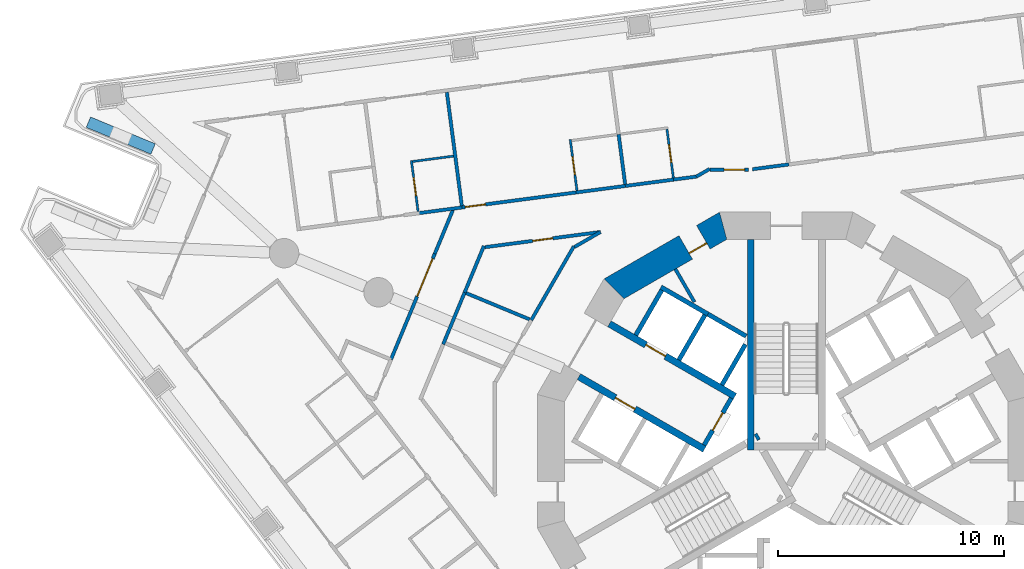
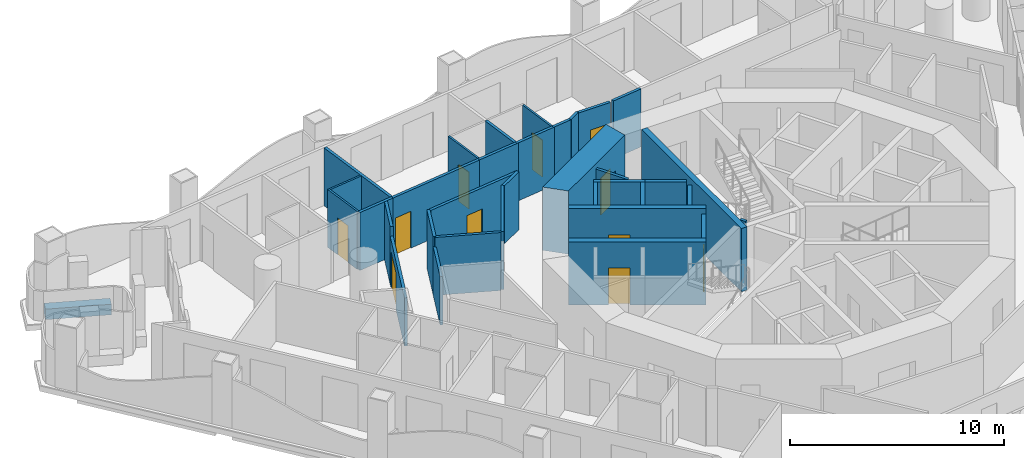
# One storey, part 7 of 19: 35 walls, 11 doors, 11 openings.
"""IFC4 building model written with IfcOpenShell, lengths in metres."""

from ifc_helpers import new_model, si_unit, direction, frame, frame_2d, origin, place, context, subcontext, project, spatial, polyline, rectangle, outline, extrude, material, layer, layer_set, type_object, element, fill, save


model = new_model("IFC4")

# Units and contexts
model_context = context("Model", 3, precision=1e-05, world=origin(), true_north=direction((0.0, 1.0)))
body_context = subcontext(model_context, "Body", "Model", "MODEL_VIEW")
ifc_project = project(units=[si_unit("LENGTHUNIT", "METRE"), si_unit("AREAUNIT", "SQUARE_METRE"), si_unit("VOLUMEUNIT", "CUBIC_METRE"), si_unit("PLANEANGLEUNIT", "RADIAN"), si_unit("MASSUNIT", "GRAM", prefix="KILO")], contexts=[model_context])

# Site, building, storey
site_placement = place(None, origin())
site = spatial("IfcSite", under=ifc_project, at=site_placement, CompositionType="ELEMENT")
building_placement = place(site_placement, origin())
building = spatial("IfcBuilding", under=site, at=building_placement, Name="Trine Commons Tower", CompositionType="ELEMENT")
storey_placement = place(building_placement, frame((0.0, 0.0, 64.800048828125)))
storey = spatial("IfcBuildingStorey", under=building, at=storey_placement, Name="L15", CompositionType="ELEMENT", Elevation=64.800048828125)

# Wall
ifc_material_1 = material(Name="Plasterboard partition on steel studs", Category="steel")
ifc_layer_1 = layer(ifc_material_1, 0.14990234375)
ifc_layer_set_1 = layer_set([ifc_layer_1], Name="Plasterboard partition on steel studs")
wall_type_1 = type_object("IfcWallType", Name="Core room partition 150 mm, EI 60", PredefinedType="PARTITIONING", material=ifc_layer_set_1)
wall_1_placement = place(storey_placement, frame((75.094970703125, 70.9970703125, 0.0), z_axis=(0.0, 0.0, 1.0), x_axis=(0.500115728942, -0.865958577338, 0.0)))
element("IfcWall", 1, at=wall_1_placement, inside=storey, type_object=wall_type_1, Name="Core room partition L15", PredefinedType="PARTITIONING", context=body_context, shape_type="SweptSolid", body=[
    extrude(rectangle(XDim=1.68359375, YDim=0.14990234375, at=frame_2d((0.841796875, 0.0))), origin(), (0.0, 0.0, 1.0), 3.300048828125),
])

# Wall, opening, door
ifc_material_2 = material(Name="Fire-rated gypsum shaft wall system")
ifc_layer_2 = layer(ifc_material_2, 0.199951171875)
ifc_layer_set_2 = layer_set([ifc_layer_2], Name="Fire-rated gypsum shaft wall system")
wall_type_2 = type_object("IfcWallType", Name="Lobby end wall 200 mm, EI 120", PredefinedType="PARTITIONING", material=ifc_layer_set_2)
wall_2_placement = place(storey_placement, frame((77.569091796875, 65.2890625, 0.0), z_axis=(0.0, 0.0, 1.0), x_axis=(-0.50012165622, -0.865955154139, 0.0)))
wall_2 = element("IfcWall", 2, at=wall_2_placement, inside=storey, type_object=wall_type_2, Name="Lobby end wall L15", PredefinedType="PARTITIONING", context=body_context, shape_type="SweptSolid", body=[
    extrude(rectangle(XDim=2.39990234375, YDim=0.199951171875, at=frame_2d((1.199951171875, 0.0))), origin(), (0.0, 0.0, 1.0), 3.300048828125),
])
opening_1_placement = place(wall_2_placement, frame((0.749755859375, 0.0, 0.0)))
opening_1 = element("IfcOpeningElement", 3, at=opening_1_placement, cuts=wall_2, Name="Opening K06.07", PredefinedType="OPENING", context=body_context, shape_type="SweptSolid", body=[
    extrude(rectangle(XDim=0.89990234375, YDim=2.10009765625, at=frame_2d((0.449951171875, 1.050048828125))), frame((0.0, 0.10986328125, 0.0), z_axis=(0.0, -1.0, 0.0), x_axis=(1.0, 0.0, 0.0)), (0.0, 0.0, 1.0), 0.219970703125),
])
ifc_material_3 = material(Name="Steel door leaf, fire-rated", Category="steel")
door_type_1 = type_object("IfcDoorType", Name="Riser access door, single leaf 900 x 2100, FD60", OperationType="SINGLE_SWING_LEFT", PredefinedType="DOOR", material=ifc_material_3)
door_1_placement = place(opening_1_placement, frame((0.89990234375, 0.0, 0.0), z_axis=(0.0, 0.0, 1.0), x_axis=(-1.0, 0.0, 0.0)))
door_1 = element("IfcDoor", 4, at=door_1_placement, inside=storey, type_object=door_type_1, Name="Riser door, Mechanical riser L15", OperationType="SINGLE_SWING_RIGHT", OverallHeight=2.10009765625, OverallWidth=0.89990234375, PredefinedType="DOOR", context=body_context, shape_type="SweptSolid", body=[
    extrude(rectangle(XDim=0.89990234375, YDim=2.10009765625, at=frame_2d((0.449951171875, 1.050048828125))), frame((0.0, 0.02490234375, 0.0), z_axis=(0.0, -1.0, 0.0), x_axis=(1.0, 0.0, 0.0)), (0.0, 0.0, 1.0), 0.050048828125),
])
fill(opening_1, door_1)

# Wall
ifc_material_4 = material(Name="Planter trough, precast concrete C40/50", Category="concrete")
ifc_layer_3 = layer(ifc_material_4, 0.5)
ifc_layer_set_3 = layer_set([ifc_layer_3], Name="Planter trough, precast concrete C40/50")
wall_type_3 = type_object("IfcWallType", Name="Planter trough 500x600", PredefinedType="PARAPET", material=ifc_layer_set_3)
wall_3_placement = place(storey_placement, frame((51.99853515625, 76.306640625, 0.0), z_axis=(0.0, 0.0, 1.0), x_axis=(-0.923883411188, 0.382674068277, 0.0)))
element("IfcWall", 5, at=wall_3_placement, inside=storey, type_object=wall_type_3, Name="Planter 3", PredefinedType="PARAPET", context=body_context, shape_type="SweptSolid", body=[
    extrude(rectangle(XDim=3.099853515625, YDim=0.5, at=frame_2d((1.5498046875, 0.0))), origin(), (0.0, 0.0, 1.0), 0.599853515625),
])

# Wall, opening, door
ifc_material_5 = material(Name="Concrete C80/95", Category="concrete")
ifc_layer_4 = layer(ifc_material_5, 1.199951171875)
ifc_layer_set_4 = layer_set([ifc_layer_4], Name="Concrete C80/95")
wall_type_4 = type_object("IfcWallType", Name="RC shear wall 1200 mm, C80/95", PredefinedType="SHEAR", material=ifc_layer_set_4)
wall_4_placement = place(storey_placement, frame((77.349609375, 72.991943359375, 0.0), z_axis=(0.0, 0.0, 1.0), x_axis=(-0.866037463336, -0.499979111662, 0.0)))
wall_4 = element("IfcWall", 6, at=wall_4_placement, inside=storey, type_object=wall_type_4, Name="Core wall CWB-05 L15", PredefinedType="SHEAR", context=body_context, shape_type="SweptSolid", body=[
    extrude(outline(polyline([(0.0, -0.60009765625), (5.901123046875, -0.60009765625), (5.57958984375, 0.60009765625), (0.321533203125, 0.60009765625), (0.0, -0.60009765625)])), origin(), (0.0, 0.0, 1.0), 3.599853515625),
])
opening_2_placement = place(wall_4_placement, frame((1.1748046875, 0.0, 0.0)))
opening_2 = element("IfcOpeningElement", 7, at=opening_2_placement, cuts=wall_4, Name="Opening K06.13", PredefinedType="OPENING", context=body_context, shape_type="SweptSolid", body=[
    extrude(rectangle(XDim=0.89990234375, YDim=2.10009765625, at=frame_2d((0.449951171875, 1.050048828125))), frame((0.0, 0.60986328125, 0.0), z_axis=(0.0, -1.0, 0.0), x_axis=(1.0, 0.0, 0.0)), (0.0, 0.0, 1.0), 1.219970703125),
])
door_type_2 = type_object("IfcDoorType", Name="Core room door, single leaf 900 x 2100, FD30S", OperationType="SINGLE_SWING_LEFT", PredefinedType="DOOR", material=ifc_material_3)
door_2_placement = place(opening_2_placement, origin())
door_2 = element("IfcDoor", 8, at=door_2_placement, inside=storey, type_object=door_type_2, Name="Door to Linen store L15", OperationType="SINGLE_SWING_LEFT", OverallHeight=2.10009765625, OverallWidth=0.89990234375, PredefinedType="DOOR", context=body_context, shape_type="SweptSolid", body=[
    extrude(rectangle(XDim=0.89990234375, YDim=2.10009765625, at=frame_2d((0.449951171875, 1.050048828125))), frame((0.0, 0.3251953125, 0.0), z_axis=(0.0, -1.0, 0.0), x_axis=(1.0, 0.0, 0.0)), (0.0, 0.0, 1.0), 0.050048828125),
])
fill(opening_2, door_2)

ifc_layer_5 = layer(ifc_material_5, 0.300048828125)
ifc_layer_set_5 = layer_set([ifc_layer_5], Name="Concrete C80/95")
wall_type_5 = type_object("IfcWallType", Name="RC shear wall 300 mm, C80/95", PredefinedType="SHEAR", material=ifc_layer_set_5)
wall_5_placement = place(storey_placement, frame((76.381103515625, 63.031005859375, 0.0), z_axis=(0.0, 0.0, 1.0), x_axis=(-0.866032150378, 0.499988314375, 0.0)))
wall_5 = element("IfcWall", 9, at=wall_5_placement, inside=storey, type_object=wall_type_5, Name="Core cross wall SWA-01 L15", PredefinedType="SHEAR", context=body_context, shape_type="SweptSolid", body=[
    extrude(rectangle(XDim=6.412353515625, YDim=0.300048828125, at=frame_2d((3.2060546875, 0.0))), origin(), (0.0, 0.0, 1.0), 3.599853515625),
])
opening_3_placement = place(wall_5_placement, frame((3.55029296875, 0.0, 0.0)))
opening_3 = element("IfcOpeningElement", 10, at=opening_3_placement, cuts=wall_5, Name="Opening LD3", PredefinedType="OPENING", context=body_context, shape_type="SweptSolid", body=[
    extrude(rectangle(XDim=1.0, YDim=2.10009765625, at=frame_2d((0.5, 1.050048828125))), frame((0.0, 0.159912109375, 0.0), z_axis=(0.0, -1.0, 0.0), x_axis=(1.0, 0.0, 0.0)), (0.0, 0.0, 1.0), 0.320068359375),
])
ifc_material_6 = material(Name="Stainless steel sliding door leaves", Category="steel")
door_type_3 = type_object("IfcDoorType", Name="Lift landing door, centre-opening sliding 1000 x 2100, FD90", OperationType="DOUBLE_DOOR_SLIDING", PredefinedType="DOOR", material=ifc_material_6)
door_3_placement = place(opening_3_placement, origin())
door_3 = element("IfcDoor", 11, at=door_3_placement, inside=storey, type_object=door_type_3, Name="Lift landing door LR3 L15", OperationType="DOUBLE_DOOR_SLIDING", OverallHeight=2.10009765625, OverallWidth=1.0, PredefinedType="DOOR", context=body_context, shape_type="SweptSolid", body=[
    extrude(rectangle(XDim=1.0, YDim=2.10009765625, at=frame_2d((0.5, 1.050048828125))), frame((0.0, 0.02490234375, 0.0), z_axis=(0.0, -1.0, 0.0), x_axis=(1.0, 0.0, 0.0)), (0.0, 0.0, 1.0), 0.050048828125),
])
fill(opening_3, door_3)

wall_6_placement = place(storey_placement, frame((77.73095703125, 65.368896484375, 0.0), z_axis=(0.0, 0.0, 1.0), x_axis=(-0.866022631842, 0.500004801114, 0.0)))
wall_6 = element("IfcWall", 12, at=wall_6_placement, inside=storey, type_object=wall_type_5, Name="Core cross wall SWA-02 L15", PredefinedType="SHEAR", context=body_context, shape_type="SweptSolid", body=[
    extrude(rectangle(XDim=6.412109375, YDim=0.300048828125, at=frame_2d((3.2060546875, 0.0))), origin(), (0.0, 0.0, 1.0), 3.599853515625),
])
opening_4_placement = place(wall_6_placement, frame((3.55029296875, 0.0, 0.0)))
opening_4 = element("IfcOpeningElement", 13, at=opening_4_placement, cuts=wall_6, Name="Opening LD4", PredefinedType="OPENING", context=body_context, shape_type="SweptSolid", body=[
    extrude(rectangle(XDim=1.0, YDim=2.10009765625, at=frame_2d((0.5, 1.050048828125))), frame((0.0, 0.159912109375, 0.0), z_axis=(0.0, -1.0, 0.0), x_axis=(1.0, 0.0, 0.0)), (0.0, 0.0, 1.0), 0.320068359375),
])
door_4_placement = place(opening_4_placement, origin())
door_4 = element("IfcDoor", 14, at=door_4_placement, inside=storey, type_object=door_type_3, Name="Lift landing door LR4 L15", OperationType="DOUBLE_DOOR_SLIDING", OverallHeight=2.10009765625, OverallWidth=1.0, PredefinedType="DOOR", context=body_context, shape_type="SweptSolid", body=[
    extrude(rectangle(XDim=1.0, YDim=2.10009765625, at=frame_2d((0.5, 1.050048828125))), frame((0.0, 0.02490234375, 0.0), z_axis=(0.0, -1.0, 0.0), x_axis=(1.0, 0.0, 0.0)), (0.0, 0.0, 1.0), 0.050048828125),
])
fill(opening_4, door_4)

# Walls
wall_7_placement = place(storey_placement, frame((78.425048828125, 63.0009765625, 0.0), z_axis=(0.0, 0.0, 1.0), x_axis=(0.0, 1.0, 0.0)))
element("IfcWall", 15, at=wall_7_placement, inside=storey, type_object=wall_type_5, Name="Core cross wall SWA-08 L15", PredefinedType="SHEAR", context=body_context, shape_type="SweptSolid", body=[
    extrude(rectangle(XDim=9.31103515625, YDim=0.300048828125, at=frame_2d((4.655517578125, 0.0))), origin(), (0.0, 0.0, 1.0), 3.599853515625),
])
wall_8_placement = place(storey_placement, frame((78.779052734375, 63.614013671875, 0.0), z_axis=(0.0, 0.0, 1.0), x_axis=(-0.867737973955, -0.497021939713, 0.0)))
element("IfcWall", 16, at=wall_8_placement, inside=storey, type_object=wall_type_5, Name="Core cross wall SWA-09 L15", PredefinedType="SHEAR", context=body_context, shape_type="SweptSolid", body=[
    extrude(rectangle(XDim=0.14892578125, YDim=0.300048828125, at=frame_2d((0.074462890625, 0.0))), origin(), (0.0, 0.0, 1.0), 3.599853515625),
])
ifc_layer_6 = layer(ifc_material_2, 0.199951171875)
ifc_layer_set_6 = layer_set([ifc_layer_6], Name="Fire-rated gypsum shaft wall system")
wall_type_6 = type_object("IfcWallType", Name="Shaft wall 200 mm, EI 120", PredefinedType="PARTITIONING", material=ifc_layer_set_6)
wall_9_placement = place(storey_placement, frame((73.344970703125, 68.073974609375, 0.0), z_axis=(0.0, 0.0, 1.0), x_axis=(0.500215680983, 0.865900844496, 0.0)))
element("IfcWall", 17, at=wall_9_placement, inside=storey, type_object=wall_type_6, Name="Shaft wall L15", PredefinedType="PARTITIONING", context=body_context, shape_type="SweptSolid", body=[
    extrude(rectangle(XDim=2.29931640625, YDim=0.199951171875, at=frame_2d((1.149658203125, 0.0))), origin(), (0.0, 0.0, 1.0), 3.300048828125),
])
wall_10_placement = place(storey_placement, frame((75.2509765625, 66.97412109375, 0.0), z_axis=(0.0, 0.0, 1.0), x_axis=(0.500136062276, 0.86594683394, 0.0)))
element("IfcWall", 18, at=wall_10_placement, inside=storey, type_object=wall_type_6, Name="Shaft wall L15", PredefinedType="PARTITIONING", context=body_context, shape_type="SweptSolid", body=[
    extrude(rectangle(XDim=2.299072265625, YDim=0.199951171875, at=frame_2d((1.1494140625, 0.0))), origin(), (0.0, 0.0, 1.0), 3.300048828125),
])
wall_11_placement = place(storey_placement, frame((76.5380859375, 69.001953125, 0.0), z_axis=(0.0, 0.0, 1.0), x_axis=(-0.866202511239, 0.499693115345, 0.0)))
element("IfcWall", 19, at=wall_11_placement, inside=storey, type_object=wall_type_6, Name="Shaft wall L15", PredefinedType="PARTITIONING", context=body_context, shape_type="SweptSolid", body=[
    extrude(rectangle(XDim=2.4013671875, YDim=0.199951171875, at=frame_2d((1.20068359375, 0.0))), origin(), (0.0, 0.0, 1.0), 3.300048828125),
])
wall_12_placement = place(storey_placement, frame((77.156005859375, 65.8740234375, 0.0), z_axis=(0.0, 0.0, 1.0), x_axis=(0.499865770674, 0.866102887253, 0.0)))
element("IfcWall", 20, at=wall_12_placement, inside=storey, type_object=wall_type_6, Name="Shaft wall L15", PredefinedType="PARTITIONING", context=body_context, shape_type="SweptSolid", body=[
    extrude(rectangle(XDim=2.064453125, YDim=0.199951171875, at=frame_2d((1.0322265625, 0.0))), origin(), (0.0, 0.0, 1.0), 3.300048828125),
])
wall_13_placement = place(storey_placement, frame((78.22509765625, 68.028076171875, 0.0), z_axis=(0.0, 0.0, 1.0), x_axis=(-0.866052014814, 0.499953905513, 0.0)))
element("IfcWall", 21, at=wall_13_placement, inside=storey, type_object=wall_type_6, Name="Shaft wall L15", PredefinedType="PARTITIONING", context=body_context, shape_type="SweptSolid", body=[
    extrude(rectangle(XDim=1.947998046875, YDim=0.199951171875, at=frame_2d((0.97412109375, 0.0))), origin(), (0.0, 0.0, 1.0), 3.300048828125),
])

# Wall, opening, door
ifc_material_7 = material(Name="Gypsum plasterboard on steel stud", Category="steel")
ifc_layer_7 = layer(ifc_material_7, 0.14990234375)
ifc_layer_set_7 = layer_set([ifc_layer_7], Name="Gypsum plasterboard on steel stud")
wall_type_7 = type_object("IfcWallType", Name="Unit and corridor wall 150 mm, EI 60", PredefinedType="PARTITIONING", material=ifc_layer_set_7)
wall_14_placement = place(storey_placement, frame((62.52197265625, 67.007080078125, 0.0), z_axis=(0.0, 0.0, 1.0), x_axis=(0.382650715136, 0.923893083753, 0.0)))
wall_14 = element("IfcWall", 22, at=wall_14_placement, inside=storey, type_object=wall_type_7, Name="Partition 022", PredefinedType="PARTITIONING", context=body_context, shape_type="SweptSolid", body=[
    extrude(rectangle(XDim=5.04931640625, YDim=0.14990234375, at=frame_2d((2.524658203125, 0.0))), origin(), (0.0, 0.0, 1.0), 2.75),
])
opening_5_placement = place(wall_14_placement, frame((3.014404296875, 0.0, 0.0)))
opening_5 = element("IfcOpeningElement", 23, at=opening_5_placement, cuts=wall_14, Name="Opening D-2B03", PredefinedType="OPENING", context=body_context, shape_type="SweptSolid", body=[
    extrude(rectangle(XDim=1.800048828125, YDim=2.10009765625, at=frame_2d((0.89990234375, 1.050048828125))), frame((0.0, 0.0849609375, 0.0), z_axis=(0.0, -1.0, 0.0), x_axis=(1.0, 0.0, 0.0)), (0.0, 0.0, 1.0), 0.169921875),
])
ifc_material_8 = material(Name="Timber fire door set", Category="wood")
door_type_4 = type_object("IfcDoorType", Name="Cluster entrance door 1800 x 2100, double leaf, FD30S", OperationType="DOUBLE_DOOR_DOUBLE_SWING", PredefinedType="DOOR", material=ifc_material_8)
door_5_placement = place(opening_5_placement, origin())
door_5 = element("IfcDoor", 24, at=door_5_placement, inside=storey, type_object=door_type_4, Name="Door D-2B03", OperationType="DOUBLE_DOOR_DOUBLE_SWING", OverallHeight=2.10009765625, OverallWidth=1.800048828125, PredefinedType="DOOR", context=body_context, shape_type="SweptSolid", body=[
    extrude(rectangle(XDim=1.800048828125, YDim=2.10009765625, at=frame_2d((0.89990234375, 1.050048828125))), frame((0.0, 0.02490234375, 0.0), z_axis=(0.0, -1.0, 0.0), x_axis=(1.0, 0.0, 0.0)), (0.0, 0.0, 1.0), 0.050048828125),
])
fill(opening_5, door_5)

# Walls
wall_15_placement = place(storey_placement, frame((63.722900390625, 73.467041015625, 0.0), z_axis=(0.0, 0.0, 1.0), x_axis=(0.991489487772, 0.130186772134, 0.0)))
element("IfcWall", 25, at=wall_15_placement, inside=storey, type_object=wall_type_7, Name="Partition 027", PredefinedType="PARTITIONING", context=body_context, shape_type="SweptSolid", body=[
    extrude(rectangle(XDim=1.957763671875, YDim=0.14990234375, at=frame_2d((0.97900390625, 0.0))), origin(), (0.0, 0.0, 1.0), 3.300048828125),
])
wall_16_placement = place(storey_placement, frame((64.4541015625, 71.672119140625, 0.0), z_axis=(0.0, 0.0, 1.0), x_axis=(0.382922635391, 0.923780415091, 0.0)))
element("IfcWall", 26, at=wall_16_placement, inside=storey, type_object=wall_type_7, Name="Partition 030", PredefinedType="PARTITIONING", context=body_context, shape_type="SweptSolid", body=[
    extrude(rectangle(XDim=2.08984375, YDim=0.14990234375, at=frame_2d((1.044921875, 0.0))), origin(), (0.0, 0.0, 1.0), 3.300048828125),
])
wall_17_placement = place(storey_placement, frame((64.826416015625, 67.671630859375, 0.0), z_axis=(0.0, 0.0, 1.0), x_axis=(0.382785873713, 0.923837093261, 0.0)))
element("IfcWall", 27, at=wall_17_placement, inside=storey, type_object=wall_type_7, Name="Partition 033", PredefinedType="PARTITIONING", context=body_context, shape_type="SweptSolid", body=[
    extrude(rectangle(XDim=2.483642578125, YDim=0.14990234375, at=frame_2d((1.24169921875, 0.0))), origin(), (0.0, 0.0, 1.0), 2.75),
])
wall_18_placement = place(storey_placement, frame((64.9892578125, 78.8173828125, 0.0), z_axis=(0.0, 0.0, 1.0), x_axis=(0.130499406053, -0.991448387471, 0.0)))
element("IfcWall", 28, at=wall_18_placement, inside=storey, type_object=wall_type_7, Name="Partition 035", PredefinedType="PARTITIONING", context=body_context, shape_type="SweptSolid", body=[
    extrude(rectangle(XDim=5.064208984375, YDim=0.14990234375, at=frame_2d((2.5322265625, 0.0))), origin(), (0.0, 0.0, 1.0), 3.300048828125),
])

# Wall, opening, door
wall_19_placement = place(storey_placement, frame((65.656005859375, 73.720947265625, 0.0), z_axis=(0.0, 0.0, 1.0), x_axis=(0.991434260867, 0.130606685815, 0.0)))
wall_19 = element("IfcWall", 29, at=wall_19_placement, inside=storey, type_object=wall_type_7, Name="Partition 036", PredefinedType="PARTITIONING", context=body_context, shape_type="SweptSolid", body=[
    extrude(rectangle(XDim=5.146240234375, YDim=0.14990234375, at=frame_2d((2.5732421875, 0.0))), origin(), (0.0, 0.0, 1.0), 3.300048828125),
])
opening_6_placement = place(wall_19_placement, frame((0.154052734375, 0.0, 0.0)))
opening_6 = element("IfcOpeningElement", 30, at=opening_6_placement, cuts=wall_19, Name="Opening D-2B09", PredefinedType="OPENING", context=body_context, shape_type="SweptSolid", body=[
    extrude(rectangle(XDim=0.89990234375, YDim=2.10009765625, at=frame_2d((0.449951171875, 1.050048828125))), frame((0.0, 0.0849609375, 0.0), z_axis=(0.0, -1.0, 0.0), x_axis=(1.0, 0.0, 0.0)), (0.0, 0.0, 1.0), 0.169921875),
])
door_type_5 = type_object("IfcDoorType", Name="Bedroom door 900 x 2100, FD30S", OperationType="NOTDEFINED", PredefinedType="DOOR", material=ifc_material_8)
door_6_placement = place(opening_6_placement, origin())
door_6 = element("IfcDoor", 31, at=door_6_placement, inside=storey, type_object=door_type_5, Name="Door D-2B09", OperationType="SINGLE_SWING_LEFT", OverallHeight=2.10009765625, OverallWidth=0.89990234375, PredefinedType="DOOR", context=body_context, shape_type="SweptSolid", body=[
    extrude(rectangle(XDim=0.89990234375, YDim=2.10009765625, at=frame_2d((0.449951171875, 1.050048828125))), frame((0.0, 0.02490234375, 0.0), z_axis=(0.0, -1.0, 0.0), x_axis=(1.0, 0.0, 0.0)), (0.0, 0.0, 1.0), 0.050048828125),
])
fill(opening_6, door_6)

# Walls
wall_20_placement = place(storey_placement, frame((65.77392578125, 69.9580078125, 0.0), z_axis=(0.0, 0.0, 1.0), x_axis=(0.382599241046, 0.923914401203, 0.0)))
element("IfcWall", 32, at=wall_20_placement, inside=storey, type_object=wall_type_7, Name="Partition 037", PredefinedType="PARTITIONING", context=body_context, shape_type="SweptSolid", body=[
    extrude(rectangle(XDim=2.236572265625, YDim=0.14990234375, at=frame_2d((1.1181640625, 0.0))), origin(), (0.0, 0.0, 1.0), 3.300048828125),
])
wall_21_placement = place(storey_placement, frame((65.77490234375, 69.9619140625, 0.0), z_axis=(0.0, 0.0, 1.0), x_axis=(0.923918484918, -0.382589379397, 0.0)))
element("IfcWall", 33, at=wall_21_placement, inside=storey, type_object=wall_type_7, Name="Partition 038", PredefinedType="PARTITIONING", context=body_context, shape_type="SweptSolid", body=[
    extrude(rectangle(XDim=3.115966796875, YDim=0.14990234375, at=frame_2d((1.55810546875, 0.0))), origin(), (0.0, 0.0, 1.0), 3.300048828125),
])

# Wall, opening, door
wall_22_placement = place(storey_placement, frame((66.67529296875, 71.96484375, 0.0), z_axis=(0.0, 0.0, 1.0), x_axis=(0.991459293276, 0.130416524172, 0.0)))
wall_22 = element("IfcWall", 34, at=wall_22_placement, inside=storey, type_object=wall_type_7, Name="Partition 039", PredefinedType="PARTITIONING", context=body_context, shape_type="SweptSolid", body=[
    extrude(rectangle(XDim=5.153564453125, YDim=0.14990234375, at=frame_2d((2.57666015625, 0.0))), origin(), (0.0, 0.0, 1.0), 3.300048828125),
])
opening_7_placement = place(wall_22_placement, frame((2.1259765625, 0.0, 0.0)))
opening_7 = element("IfcOpeningElement", 35, at=opening_7_placement, cuts=wall_22, Name="Opening D-2B35", PredefinedType="OPENING", context=body_context, shape_type="SweptSolid", body=[
    extrude(rectangle(XDim=0.89990234375, YDim=2.10009765625, at=frame_2d((0.449951171875, 1.050048828125))), frame((0.0, 0.0849609375, 0.0), z_axis=(0.0, -1.0, 0.0), x_axis=(1.0, 0.0, 0.0)), (0.0, 0.0, 1.0), 0.169921875),
])
door_type_6 = type_object("IfcDoorType", Name="Service door 900 x 2100, FD30S", OperationType="NOTDEFINED", PredefinedType="DOOR", material=ifc_material_8)
door_7_placement = place(opening_7_placement, frame((0.89990234375, 0.0, 0.0), z_axis=(0.0, 0.0, 1.0), x_axis=(-1.0, 0.0, 0.0)))
door_7 = element("IfcDoor", 36, at=door_7_placement, inside=storey, type_object=door_type_6, Name="Door D-2B35", OperationType="SINGLE_SWING_RIGHT", OverallHeight=2.10009765625, OverallWidth=0.89990234375, PredefinedType="DOOR", context=body_context, shape_type="SweptSolid", body=[
    extrude(rectangle(XDim=0.89990234375, YDim=2.10009765625, at=frame_2d((0.449951171875, 1.050048828125))), frame((0.0, 0.02490234375, 0.0), z_axis=(0.0, -1.0, 0.0), x_axis=(1.0, 0.0, 0.0)), (0.0, 0.0, 1.0), 0.050048828125),
])
fill(opening_7, door_7)

# Walls
wall_23_placement = place(storey_placement, frame((68.720947265625, 68.737060546875, 0.0), z_axis=(0.0, 0.0, 1.0), x_axis=(0.499855260579, 0.866108953002, 0.0)))
element("IfcWall", 37, at=wall_23_placement, inside=storey, type_object=wall_type_7, Name="Partition 046", PredefinedType="PARTITIONING", context=body_context, shape_type="SweptSolid", body=[
    extrude(rectangle(XDim=3.76611328125, YDim=0.14990234375, at=frame_2d((1.883056640625, 0.0))), origin(), (0.0, 0.0, 1.0), 3.300048828125),
])
wall_24_placement = place(storey_placement, frame((70.630859375, 71.971435546875, 0.0), z_axis=(0.0, 0.0, 1.0), x_axis=(0.865822790046, 0.500350773195, 0.0)))
element("IfcWall", 38, at=wall_24_placement, inside=storey, type_object=wall_type_7, Name="Partition 053", PredefinedType="PARTITIONING", context=body_context, shape_type="SweptSolid", body=[
    extrude(rectangle(XDim=1.333984375, YDim=0.14990234375, at=frame_2d((0.6669921875, 0.0))), origin(), (0.0, 0.0, 1.0), 3.300048828125),
])
wall_25_placement = place(storey_placement, frame((70.700439453125, 74.385498046875, 0.0), z_axis=(0.0, 0.0, 1.0), x_axis=(0.991421134071, 0.13070629257, 0.0)))
element("IfcWall", 39, at=wall_25_placement, inside=storey, type_object=wall_type_7, Name="Partition 054", PredefinedType="PARTITIONING", context=body_context, shape_type="SweptSolid", body=[
    extrude(rectangle(XDim=2.282470703125, YDim=0.14990234375, at=frame_2d((1.14111328125, 0.0))), origin(), (0.0, 0.0, 1.0), 3.300048828125),
])
wall_26_placement = place(storey_placement, frame((72.5849609375, 76.9541015625, 0.0), z_axis=(0.0, 0.0, 1.0), x_axis=(0.130417626648, -0.991459148255, 0.0)))
element("IfcWall", 40, at=wall_26_placement, inside=storey, type_object=wall_type_7, Name="Partition 057", PredefinedType="PARTITIONING", context=body_context, shape_type="SweptSolid", body=[
    extrude(rectangle(XDim=2.225830078125, YDim=0.14990234375, at=frame_2d((1.11279296875, 0.0))), origin(), (0.0, 0.0, 1.0), 3.300048828125),
])
wall_27_placement = place(storey_placement, frame((72.881103515625, 74.673095703125, 0.0), z_axis=(0.0, 0.0, 1.0), x_axis=(0.991439990687, 0.13056318343, 0.0)))
element("IfcWall", 41, at=wall_27_placement, inside=storey, type_object=wall_type_7, Name="Partition 059", PredefinedType="PARTITIONING", context=body_context, shape_type="SweptSolid", body=[
    extrude(rectangle(XDim=2.208251953125, YDim=0.14990234375, at=frame_2d((1.10400390625, 0.0))), origin(), (0.0, 0.0, 1.0), 3.300048828125),
])
wall_28_placement = place(storey_placement, frame((75.012939453125, 74.9541015625, 0.0), z_axis=(0.0, 0.0, 1.0), x_axis=(0.991497392329, 0.130126557642, 0.0)))
element("IfcWall", 42, at=wall_28_placement, inside=storey, type_object=wall_type_7, Name="Partition 064", PredefinedType="PARTITIONING", context=body_context, shape_type="SweptSolid", body=[
    extrude(rectangle(XDim=1.020751953125, YDim=0.14990234375, at=frame_2d((0.51025390625, 0.0))), origin(), (0.0, 0.0, 1.0), 3.300048828125),
])
wall_29_placement = place(storey_placement, frame((76.01806640625, 75.08203125, 0.0), z_axis=(0.0, 0.0, 1.0), x_axis=(0.866286339247, 0.499547773926, 0.0)))
element("IfcWall", 43, at=wall_29_placement, inside=storey, type_object=wall_type_7, Name="Partition 069", PredefinedType="PARTITIONING", context=body_context, shape_type="SweptSolid", body=[
    extrude(rectangle(XDim=0.685791015625, YDim=0.14990234375, at=frame_2d((0.3427734375, 0.0))), origin(), (0.0, 0.0, 1.0), 3.300048828125),
])

# Wall, opening, door
wall_30_placement = place(storey_placement, frame((76.6220703125, 75.386962890625, 0.0), z_axis=(0.0, 0.0, 1.0), x_axis=(1.0, 0.0, 0.0)))
wall_30 = element("IfcWall", 44, at=wall_30_placement, inside=storey, type_object=wall_type_7, Name="Partition 071", PredefinedType="PARTITIONING", context=body_context, shape_type="SweptSolid", body=[
    extrude(rectangle(XDim=1.7138671875, YDim=0.14990234375, at=frame_2d((0.85693359375, 0.0))), origin(), (0.0, 0.0, 1.0), 3.300048828125),
])
opening_8_placement = place(wall_30_placement, frame((0.631103515625, 0.0, 0.0)))
opening_8 = element("IfcOpeningElement", 45, at=opening_8_placement, cuts=wall_30, Name="Opening D-2B10", PredefinedType="OPENING", context=body_context, shape_type="SweptSolid", body=[
    extrude(rectangle(XDim=0.89990234375, YDim=2.10009765625, at=frame_2d((0.449951171875, 1.050048828125))), frame((0.0, 0.0849609375, 0.0), z_axis=(0.0, -1.0, 0.0), x_axis=(1.0, 0.0, 0.0)), (0.0, 0.0, 1.0), 0.169921875),
])
door_8_placement = place(opening_8_placement, origin())
door_8 = element("IfcDoor", 46, at=door_8_placement, inside=storey, type_object=door_type_5, Name="Door D-2B10", OperationType="SINGLE_SWING_RIGHT", OverallHeight=2.10009765625, OverallWidth=0.89990234375, PredefinedType="DOOR", context=body_context, shape_type="SweptSolid", body=[
    extrude(rectangle(XDim=0.89990234375, YDim=2.10009765625, at=frame_2d((0.449951171875, 1.050048828125))), frame((0.0, 0.02490234375, 0.0), z_axis=(0.0, -1.0, 0.0), x_axis=(1.0, 0.0, 0.0)), (0.0, 0.0, 1.0), 0.050048828125),
])
fill(opening_8, door_8)

# Wall
wall_31_placement = place(storey_placement, frame((78.508056640625, 75.4130859375, 0.0), z_axis=(0.0, 0.0, 1.0), x_axis=(0.991484025307, 0.13022836696, 0.0)))
element("IfcWall", 47, at=wall_31_placement, inside=storey, type_object=wall_type_7, Name="Partition 075", PredefinedType="PARTITIONING", context=body_context, shape_type="SweptSolid", body=[
    extrude(rectangle(XDim=1.61962890625, YDim=0.14990234375, at=frame_2d((0.809814453125, 0.0))), origin(), (0.0, 0.0, 1.0), 3.300048828125),
])

# Wall, opening, door
ifc_layer_8 = layer(ifc_material_7, 0.10009765625)
ifc_layer_set_8 = layer_set([ifc_layer_8], Name="Gypsum plasterboard on steel stud")
wall_type_8 = type_object("IfcWallType", Name="Unit partition 100 mm, no rating", PredefinedType="PARTITIONING", material=ifc_layer_set_8)
wall_32_placement = place(storey_placement, frame((63.42041015625, 75.797607421875, 0.0), z_axis=(0.0, 0.0, 1.0), x_axis=(0.130518372124, -0.991445890878, 0.0)))
wall_32 = element("IfcWall", 48, at=wall_32_placement, inside=storey, type_object=wall_type_8, Name="Partition 025", PredefinedType="PARTITIONING", context=body_context, shape_type="SweptSolid", body=[
    extrude(rectangle(XDim=2.274658203125, YDim=0.10009765625, at=frame_2d((1.13720703125, 0.0))), origin(), (0.0, 0.0, 1.0), 3.300048828125),
])
opening_9_placement = place(wall_32_placement, frame((0.76220703125, 0.0, 0.0)))
opening_9 = element("IfcOpeningElement", 49, at=opening_9_placement, cuts=wall_32, Name="Opening D-2B39", PredefinedType="OPENING", context=body_context, shape_type="SweptSolid", body=[
    extrude(rectangle(XDim=0.800048828125, YDim=2.10009765625, at=frame_2d((0.39990234375, 1.050048828125))), frame((0.0, 0.06005859375, 0.0), z_axis=(0.0, -1.0, 0.0), x_axis=(1.0, 0.0, 0.0)), (0.0, 0.0, 1.0), 0.1201171875),
])
ifc_material_9 = material(Name="Painted timber", Category="wood")
door_type_7 = type_object("IfcDoorType", Name="Internal door 800 x 2100, NOT RATED", OperationType="NOTDEFINED", PredefinedType="DOOR", material=ifc_material_9)
door_9_placement = place(opening_9_placement, frame((0.800048828125, 0.0, 0.0), z_axis=(0.0, 0.0, 1.0), x_axis=(-1.0, 0.0, 0.0)))
door_9 = element("IfcDoor", 50, at=door_9_placement, inside=storey, type_object=door_type_7, Name="Door D-2B39", OperationType="SINGLE_SWING_LEFT", OverallHeight=2.10009765625, OverallWidth=0.800048828125, PredefinedType="DOOR", context=body_context, shape_type="SweptSolid", body=[
    extrude(rectangle(XDim=0.800048828125, YDim=2.10009765625, at=frame_2d((0.39990234375, 1.050048828125))), frame((0.0, 0.02490234375, 0.0), z_axis=(0.0, -1.0, 0.0), x_axis=(1.0, 0.0, 0.0)), (0.0, 0.0, 1.0), 0.050048828125),
])
fill(opening_9, door_9)

# Wall
wall_33_placement = place(storey_placement, frame((63.4765625, 75.75439453125, 0.0), z_axis=(0.0, 0.0, 1.0), x_axis=(0.991471592706, 0.13032298668, 0.0)))
element("IfcWall", 51, at=wall_33_placement, inside=storey, type_object=wall_type_8, Name="Partition 026", PredefinedType="PARTITIONING", context=body_context, shape_type="SweptSolid", body=[
    extrude(rectangle(XDim=1.82470703125, YDim=0.10009765625, at=frame_2d((0.912353515625, 0.0))), origin(), (0.0, 0.0, 1.0), 3.300048828125),
])

# Wall, opening, door
wall_34_placement = place(storey_placement, frame((70.446533203125, 76.72265625, 0.0), z_axis=(0.0, 0.0, 1.0), x_axis=(0.130820949101, -0.991406011317, 0.0)))
wall_34 = element("IfcWall", 52, at=wall_34_placement, inside=storey, type_object=wall_type_8, Name="Partition 050", PredefinedType="PARTITIONING", context=body_context, shape_type="SweptSolid", body=[
    extrude(rectangle(XDim=2.27490234375, YDim=0.10009765625, at=frame_2d((1.137451171875, 0.0))), origin(), (0.0, 0.0, 1.0), 3.300048828125),
])
opening_10_placement = place(wall_34_placement, frame((0.762451171875, 0.0, 0.0)))
opening_10 = element("IfcOpeningElement", 53, at=opening_10_placement, cuts=wall_34, Name="Opening D-2B40", PredefinedType="OPENING", context=body_context, shape_type="SweptSolid", body=[
    extrude(rectangle(XDim=0.800048828125, YDim=2.10009765625, at=frame_2d((0.39990234375, 1.050048828125))), frame((0.0, 0.06005859375, 0.0), z_axis=(0.0, -1.0, 0.0), x_axis=(1.0, 0.0, 0.0)), (0.0, 0.0, 1.0), 0.1201171875),
])
door_10_placement = place(opening_10_placement, frame((0.800048828125, 0.0, 0.0), z_axis=(0.0, 0.0, 1.0), x_axis=(-1.0, 0.0, 0.0)))
door_10 = element("IfcDoor", 54, at=door_10_placement, inside=storey, type_object=door_type_7, Name="Door D-2B40", OperationType="SINGLE_SWING_LEFT", OverallHeight=2.10009765625, OverallWidth=0.800048828125, PredefinedType="DOOR", context=body_context, shape_type="SweptSolid", body=[
    extrude(rectangle(XDim=0.800048828125, YDim=2.10009765625, at=frame_2d((0.39990234375, 1.050048828125))), frame((0.0, 0.02490234375, 0.0), z_axis=(0.0, -1.0, 0.0), x_axis=(1.0, 0.0, 0.0)), (0.0, 0.0, 1.0), 0.050048828125),
])
fill(opening_10, door_10)

wall_35_placement = place(storey_placement, frame((74.723388671875, 77.184326171875, 0.0), z_axis=(0.0, 0.0, 1.0), x_axis=(0.130457416757, -0.991453913409, 0.0)))
wall_35 = element("IfcWall", 55, at=wall_35_placement, inside=storey, type_object=wall_type_8, Name="Partition 063", PredefinedType="PARTITIONING", context=body_context, shape_type="SweptSolid", body=[
    extrude(rectangle(XDim=2.174560546875, YDim=0.10009765625, at=frame_2d((1.08740234375, 0.0))), origin(), (0.0, 0.0, 1.0), 3.300048828125),
])
opening_11_placement = place(wall_35_placement, frame((0.687255859375, 0.0, 0.0)))
opening_11 = element("IfcOpeningElement", 56, at=opening_11_placement, cuts=wall_35, Name="Opening D-2B41", PredefinedType="OPENING", context=body_context, shape_type="SweptSolid", body=[
    extrude(rectangle(XDim=0.800048828125, YDim=2.10009765625, at=frame_2d((0.39990234375, 1.050048828125))), frame((0.0, 0.06005859375, 0.0), z_axis=(0.0, -1.0, 0.0), x_axis=(1.0, 0.0, 0.0)), (0.0, 0.0, 1.0), 0.1201171875),
])
door_11_placement = place(opening_11_placement, origin())
door_11 = element("IfcDoor", 57, at=door_11_placement, inside=storey, type_object=door_type_7, Name="Door D-2B41", OperationType="SINGLE_SWING_LEFT", OverallHeight=2.10009765625, OverallWidth=0.800048828125, PredefinedType="DOOR", context=body_context, shape_type="SweptSolid", body=[
    extrude(rectangle(XDim=0.800048828125, YDim=2.10009765625, at=frame_2d((0.39990234375, 1.050048828125))), frame((0.0, 0.02490234375, 0.0), z_axis=(0.0, -1.0, 0.0), x_axis=(1.0, 0.0, 0.0)), (0.0, 0.0, 1.0), 0.050048828125),
])
fill(opening_11, door_11)

save(model, "model.ifc")
